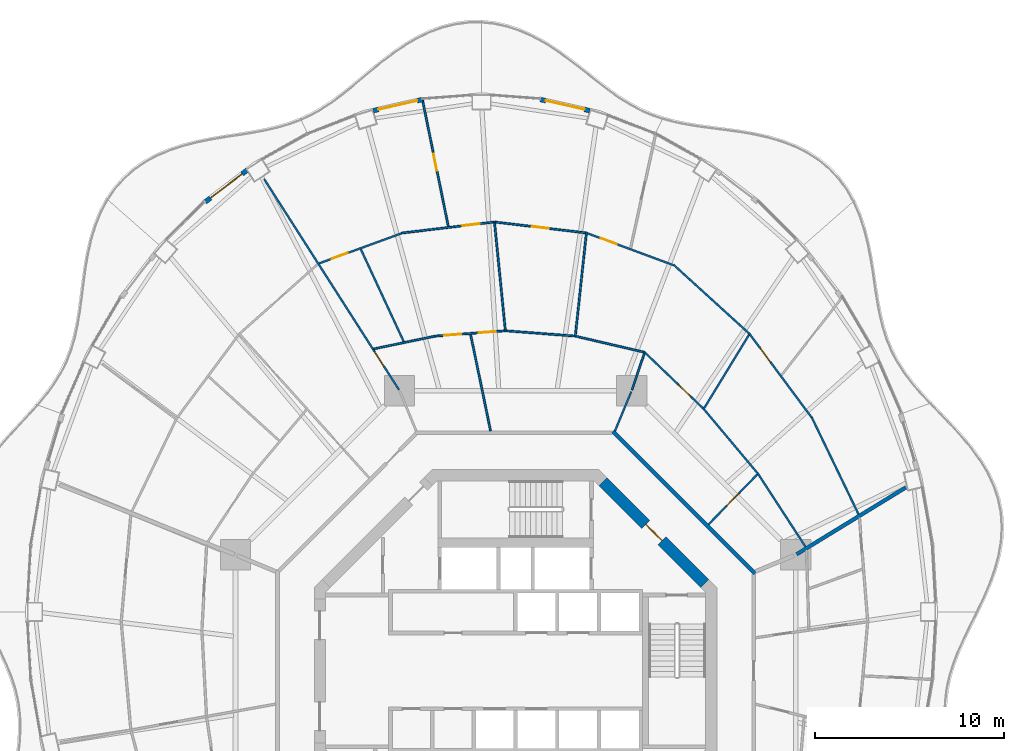
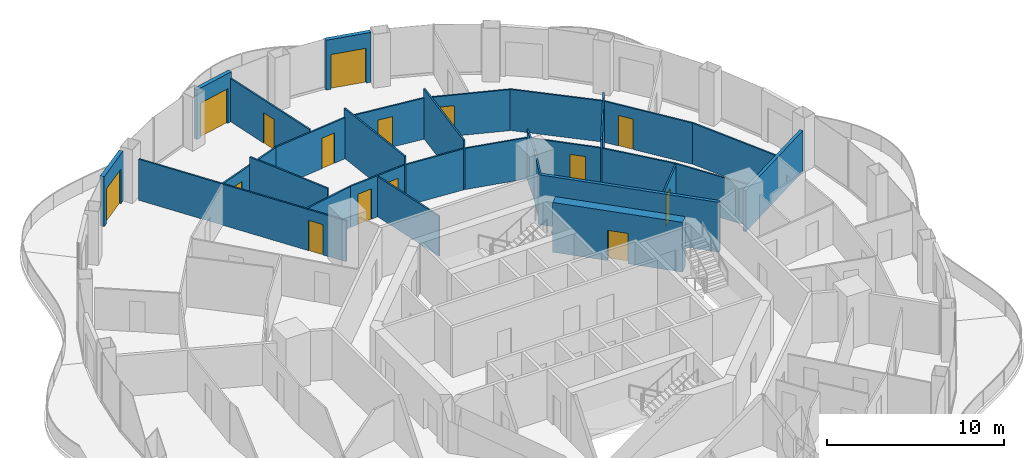
# One storey, part 14 of 18: 30 walls, 15 doors, 15 openings.
"""IFC4 building model written with IfcOpenShell, lengths in metres."""

from ifc_helpers import new_model, si_unit, direction, frame, frame_2d, origin, place, context, subcontext, project, spatial, rectangle, extrude, material, layer, layer_set, type_object, element, fill, save


model = new_model("IFC4")

# Units and contexts
model_context = context("Model", 3, precision=1e-05, world=origin(), true_north=direction((0.0, 1.0)))
body_context = subcontext(model_context, "Body", "Model", "MODEL_VIEW")
ifc_project = project(units=[si_unit("LENGTHUNIT", "METRE"), si_unit("AREAUNIT", "SQUARE_METRE"), si_unit("VOLUMEUNIT", "CUBIC_METRE"), si_unit("PLANEANGLEUNIT", "RADIAN"), si_unit("MASSUNIT", "GRAM", prefix="KILO")], contexts=[model_context])

# Site, building, storey
site_placement = place(None, origin())
site = spatial("IfcSite", under=ifc_project, at=site_placement, CompositionType="ELEMENT")
building_placement = place(site_placement, origin())
building = spatial("IfcBuilding", under=site, at=building_placement, Name="Nagisa Residences", CompositionType="ELEMENT")
storey_placement = place(building_placement, frame((0.0, 0.0, 234.39990234375)))
storey = spatial("IfcBuildingStorey", under=building, at=storey_placement, Name="L59", CompositionType="ELEMENT", Elevation=234.39990234375)

# Walls
ifc_material_1 = material(Name="Gypsum board on steel studs", Category="steel")
ifc_layer_1 = layer(ifc_material_1, 0.199951171875)
ifc_layer_set_1 = layer_set([ifc_layer_1], Name="Apartment compartment wall EI60 200")
wall_type_1 = type_object("IfcWallType", Name="Apartment compartment wall EI60 200", PredefinedType="PARTITIONING", material=ifc_layer_set_1)
wall_1_placement = place(storey_placement, frame((14.82470703125, 6.149169921875, 0.0), z_axis=(0.0, 0.0, 1.0), x_axis=(0.852781365284, 0.522268075824, 0.0)))
element("IfcWall", 1, at=wall_1_placement, inside=storey, type_object=wall_type_1, Name="wall:L59:u01", PredefinedType="PARTITIONING", context=body_context, shape_type="SweptSolid", body=[
    extrude(rectangle(XDim=6.758056640625, YDim=0.199951171875, at=frame_2d((3.37890625, 0.0))), origin(), (0.0, 0.0, 1.0), 2.837158203125),
])
ifc_material_2 = material(Name="Gypsum board on steel studs", Category="steel")
ifc_layer_2 = layer(ifc_material_2, 0.199951171875)
ifc_layer_set_2 = layer_set([ifc_layer_2], Name="Apartment entry wall EI60 200")
wall_type_2 = type_object("IfcWallType", Name="Apartment entry wall EI60 200", PredefinedType="PARTITIONING", material=ifc_layer_set_2)
wall_2_placement = place(storey_placement, frame((12.635498046875, 5.1337890625, 0.0), z_axis=(0.0, 0.0, 1.0), x_axis=(-0.707106781187, 0.707106781187, 0.0)))
element("IfcWall", 2, at=wall_2_placement, inside=storey, type_object=wall_type_2, Name="wall:L59:u11", PredefinedType="PARTITIONING", context=body_context, shape_type="SweptSolid", body=[
    extrude(rectangle(XDim=10.609130859375, YDim=0.199951171875, at=frame_2d((5.3046875, 0.0))), origin(), (0.0, 0.0, 1.0), 3.440185546875),
])
ifc_material_3 = material(Name="Gypsum board on steel studs", Category="steel")
ifc_layer_3 = layer(ifc_material_3, 0.10009765625)
ifc_layer_set_3 = layer_set([ifc_layer_3], Name="Apartment partition 100")
wall_type_3 = type_object("IfcWallType", Name="Apartment partition 100", PredefinedType="PARTITIONING", material=ifc_layer_set_3)
wall_3_placement = place(storey_placement, frame((15.295166015625, 6.554443359375, 0.0), z_axis=(0.0, 0.0, 1.0), x_axis=(-0.545186120363, 0.838315032767, 0.0)))
element("IfcWall", 3, at=wall_3_placement, inside=storey, type_object=wall_type_3, Name="wall:L59:u23", PredefinedType="PARTITIONING", context=body_context, shape_type="SweptSolid", body=[
    extrude(rectangle(XDim=4.642578125, YDim=0.10009765625, at=frame_2d((2.3212890625, 0.0))), origin(), (0.0, 0.0, 1.0), 2.837158203125),
])
wall_4_placement = place(storey_placement, frame((18.094970703125, 8.2685546875, 0.0), z_axis=(0.0, 0.0, 1.0), x_axis=(-0.434640773561, 0.900603907363, 0.0)))
element("IfcWall", 4, at=wall_4_placement, inside=storey, type_object=wall_type_3, Name="wall:L59:u24", PredefinedType="PARTITIONING", context=body_context, shape_type="SweptSolid", body=[
    extrude(rectangle(XDim=5.67431640625, YDim=0.10009765625, at=frame_2d((2.837158203125, 0.0))), origin(), (0.0, 0.0, 1.0), 2.837158203125),
])

# Wall, opening, door
wall_5_placement = place(storey_placement, frame((10.18115234375, 7.7294921875, 0.0), z_axis=(0.0, 0.0, 1.0), x_axis=(0.69841402561, 0.71569396311, 0.0)))
wall_5 = element("IfcWall", 5, at=wall_5_placement, inside=storey, type_object=wall_type_3, Name="wall:L59:u25", PredefinedType="PARTITIONING", context=body_context, shape_type="SweptSolid", body=[
    extrude(rectangle(XDim=3.6875, YDim=0.10009765625, at=frame_2d((1.84375, 0.0))), origin(), (0.0, 0.0, 1.0), 2.76220703125),
])
opening_1_placement = place(wall_5_placement, frame((1.393798828125, 0.0, 0.0)))
opening_1 = element("IfcOpeningElement", 6, at=opening_1_placement, cuts=wall_5, Name="Opening L59-U55", PredefinedType="OPENING", context=body_context, shape_type="SweptSolid", body=[
    extrude(rectangle(XDim=0.89990234375, YDim=2.10009765625, at=frame_2d((0.449951171875, 1.050048828125))), frame((0.0, 0.06005859375, 0.0), z_axis=(0.0, -1.0, 0.0), x_axis=(1.0, 0.0, 0.0)), (0.0, 0.0, 1.0), 0.1201171875),
])
ifc_material_4 = material(Name="Timber door set", Category="wood")
door_type_1 = type_object("IfcDoorType", Name="Apartment door 900x2100", OperationType="NOTDEFINED", PredefinedType="DOOR", material=ifc_material_4)
door_1_placement = place(opening_1_placement, frame((0.89990234375, 0.0, 0.0), x_axis=(-1.0, 0.0, 0.0)))
door_1 = element("IfcDoor", 7, at=door_1_placement, inside=storey, type_object=door_type_1, Name="Door to store, Apartment 59E", OperationType="SINGLE_SWING_RIGHT", OverallHeight=2.10009765625, OverallWidth=0.89990234375, PredefinedType="DOOR", context=body_context, shape_type="SweptSolid", body=[
    extrude(rectangle(XDim=0.89990234375, YDim=2.10009765625, at=frame_2d((0.449951171875, 1.050048828125))), frame((0.0, 0.02490234375, 0.0), z_axis=(0.0, -1.0, 0.0), x_axis=(1.0, 0.0, 0.0)), (0.0, 0.0, 1.0), 0.050048828125),
])
fill(opening_1, door_1)

# Wall
wall_6_placement = place(storey_placement, frame((12.75927734375, 10.442626953125, 0.0), z_axis=(0.0, 0.0, 1.0), x_axis=(-0.642225196965, 0.766516011825, 0.0)))
element("IfcWall", 8, at=wall_6_placement, inside=storey, type_object=wall_type_3, Name="wall:L59:u26", PredefinedType="PARTITIONING", context=body_context, shape_type="SweptSolid", body=[
    extrude(rectangle(XDim=4.360595703125, YDim=0.10009765625, at=frame_2d((2.18017578125, 0.0))), origin(), (0.0, 0.0, 1.0), 2.837158203125),
])

# Wall, opening, door
wall_7_placement = place(storey_placement, frame((15.62060546875, 13.3740234375, 0.0), z_axis=(0.0, 0.0, 1.0), x_axis=(-0.596165830899, 0.802861321816, 0.0)))
wall_7 = element("IfcWall", 9, at=wall_7_placement, inside=storey, type_object=wall_type_3, Name="wall:L59:u27", PredefinedType="PARTITIONING", context=body_context, shape_type="SweptSolid", body=[
    extrude(rectangle(XDim=5.5419921875, YDim=0.10009765625, at=frame_2d((2.77099609375, 0.0))), origin(), (0.0, 0.0, 1.0), 2.837158203125),
])
opening_2_placement = place(wall_7_placement, frame((3.656494140625, 0.0, 0.0)))
opening_2 = element("IfcOpeningElement", 10, at=opening_2_placement, cuts=wall_7, Name="Opening L59-U53", PredefinedType="OPENING", context=body_context, shape_type="SweptSolid", body=[
    extrude(rectangle(XDim=0.89990234375, YDim=2.10009765625, at=frame_2d((0.449951171875, 1.050048828125))), frame((0.0, 0.06005859375, 0.0), z_axis=(0.0, -1.0, 0.0), x_axis=(1.0, 0.0, 0.0)), (0.0, 0.0, 1.0), 0.1201171875),
])
door_2_placement = place(opening_2_placement, origin())
door_2 = element("IfcDoor", 11, at=door_2_placement, inside=storey, type_object=door_type_1, Name="Door to family room, Apartment 59E", OperationType="SINGLE_SWING_LEFT", OverallHeight=2.10009765625, OverallWidth=0.89990234375, PredefinedType="DOOR", context=body_context, shape_type="SweptSolid", body=[
    extrude(rectangle(XDim=0.89990234375, YDim=2.10009765625, at=frame_2d((0.449951171875, 1.050048828125))), frame((0.0, 0.02490234375, 0.0), z_axis=(0.0, -1.0, 0.0), x_axis=(1.0, 0.0, 0.0)), (0.0, 0.0, 1.0), 0.050048828125),
])
fill(opening_2, door_2)

# Wall
wall_8_placement = place(storey_placement, frame((9.900390625, 13.78076171875, 0.0), z_axis=(0.0, 0.0, 1.0), x_axis=(0.521464905534, 0.853272730313, 0.0)))
element("IfcWall", 12, at=wall_8_placement, inside=storey, type_object=wall_type_3, Name="wall:L59:u29", PredefinedType="PARTITIONING", context=body_context, shape_type="SweptSolid", body=[
    extrude(rectangle(XDim=4.640625, YDim=0.10009765625, at=frame_2d((2.3203125, 0.0))), origin(), (0.0, 0.0, 1.0), 3.440185546875),
])

# Wall, opening, door
wall_9_placement = place(storey_placement, frame((9.890380859375, 13.858154296875, 0.0), z_axis=(0.0, 0.0, 1.0), x_axis=(-0.72167233993, 0.692234811159, 0.0)))
wall_9 = element("IfcWall", 13, at=wall_9_placement, inside=storey, type_object=wall_type_3, Name="wall:L59:u30", PredefinedType="PARTITIONING", context=body_context, shape_type="SweptSolid", body=[
    extrude(rectangle(XDim=4.312744140625, YDim=0.10009765625, at=frame_2d((2.15625, 0.0))), origin(), (0.0, 0.0, 1.0), 2.837158203125),
])
opening_3_placement = place(wall_9_placement, frame((0.882568359375, 0.0, 0.0)))
opening_3 = element("IfcOpeningElement", 14, at=opening_3_placement, cuts=wall_9, Name="Opening L59-U52", PredefinedType="OPENING", context=body_context, shape_type="SweptSolid", body=[
    extrude(rectangle(XDim=0.89990234375, YDim=2.10009765625, at=frame_2d((0.449951171875, 1.050048828125))), frame((0.0, 0.06005859375, 0.0), z_axis=(0.0, -1.0, 0.0), x_axis=(1.0, 0.0, 0.0)), (0.0, 0.0, 1.0), 0.1201171875),
])
door_3_placement = place(opening_3_placement, origin())
door_3 = element("IfcDoor", 15, at=door_3_placement, inside=storey, type_object=door_type_1, Name="Door to laundry, Apartment 59E", OperationType="SINGLE_SWING_RIGHT", OverallHeight=2.10009765625, OverallWidth=0.89990234375, PredefinedType="DOOR", context=body_context, shape_type="SweptSolid", body=[
    extrude(rectangle(XDim=0.89990234375, YDim=2.10009765625, at=frame_2d((0.449951171875, 1.050048828125))), frame((0.0, 0.02490234375, 0.0), z_axis=(0.0, -1.0, 0.0), x_axis=(1.0, 0.0, 0.0)), (0.0, 0.0, 1.0), 0.050048828125),
])
fill(opening_3, door_3)

# Walls
wall_10_placement = place(storey_placement, frame((12.3095703125, 17.81689453125, 0.0), z_axis=(0.0, 0.0, 1.0), x_axis=(-0.739697052892, 0.672940019573, 0.0)))
element("IfcWall", 16, at=wall_10_placement, inside=storey, type_object=wall_type_3, Name="wall:L59:u31", PredefinedType="PARTITIONING", context=body_context, shape_type="SweptSolid", body=[
    extrude(rectangle(XDim=5.364990234375, YDim=0.10009765625, at=frame_2d((2.6826171875, 0.0))), origin(), (0.0, 0.0, 1.0), 2.837158203125),
])
wall_11_placement = place(storey_placement, frame((5.24267578125, 12.6572265625, 0.0), z_axis=(0.0, 0.0, 1.0), x_axis=(0.382719158442, 0.923864733477, 0.0)))
element("IfcWall", 17, at=wall_11_placement, inside=storey, type_object=wall_type_3, Name="wall:L59:u32", PredefinedType="PARTITIONING", context=body_context, shape_type="SweptSolid", body=[
    extrude(rectangle(XDim=2.25, YDim=0.10009765625, at=frame_2d((1.125, 0.0))), origin(), (0.0, 0.0, 1.0), 3.440185546875),
])
wall_12_placement = place(storey_placement, frame((6.13916015625, 14.829345703125, 0.0), z_axis=(0.0, 0.0, 1.0), x_axis=(0.32278593828, 0.946471995385, 0.0)))
element("IfcWall", 18, at=wall_12_placement, inside=storey, type_object=wall_type_3, Name="wall:L59:u33", PredefinedType="PARTITIONING", context=body_context, shape_type="SweptSolid", body=[
    extrude(rectangle(XDim=2.04150390625, YDim=0.10009765625, at=frame_2d((1.020751953125, 0.0))), origin(), (0.0, 0.0, 1.0), 3.440185546875),
])
wall_13_placement = place(storey_placement, frame((6.765625, 16.8203125, 0.0), z_axis=(0.0, 0.0, 1.0), x_axis=(-0.973612608559, 0.22820711745, 0.0)))
element("IfcWall", 19, at=wall_13_placement, inside=storey, type_object=wall_type_3, Name="wall:L59:u34", PredefinedType="PARTITIONING", context=body_context, shape_type="SweptSolid", body=[
    extrude(rectangle(XDim=3.6630859375, YDim=0.10009765625, at=frame_2d((1.83154296875, 0.0))), origin(), (0.0, 0.0, 1.0), 2.837158203125),
])

# Wall, opening, door
wall_14_placement = place(storey_placement, frame((8.3310546875, 21.410888671875, 0.0), z_axis=(0.0, 0.0, 1.0), x_axis=(-0.937891982431, 0.346927412136, 0.0)))
wall_14 = element("IfcWall", 20, at=wall_14_placement, inside=storey, type_object=wall_type_3, Name="wall:L59:u35", PredefinedType="PARTITIONING", context=body_context, shape_type="SweptSolid", body=[
    extrude(rectangle(XDim=4.85009765625, YDim=0.10009765625, at=frame_2d((2.425048828125, 0.0))), origin(), (0.0, 0.0, 1.0), 2.837158203125),
])
opening_4_placement = place(wall_14_placement, frame((3.1875, 0.0, 0.0)))
opening_4 = element("IfcOpeningElement", 21, at=opening_4_placement, cuts=wall_14, Name="Opening L59-U48", PredefinedType="OPENING", context=body_context, shape_type="SweptSolid", body=[
    extrude(rectangle(XDim=0.89990234375, YDim=2.10009765625, at=frame_2d((0.449951171875, 1.050048828125))), frame((0.0, 0.06005859375, 0.0), z_axis=(0.0, -1.0, 0.0), x_axis=(1.0, 0.0, 0.0)), (0.0, 0.0, 1.0), 0.1201171875),
])
door_4_placement = place(opening_4_placement, origin())
door_4 = element("IfcDoor", 22, at=door_4_placement, inside=storey, type_object=door_type_1, Name="Door to kitchen, Apartment 59E", OperationType="SINGLE_SWING_RIGHT", OverallHeight=2.10009765625, OverallWidth=0.89990234375, PredefinedType="DOOR", context=body_context, shape_type="SweptSolid", body=[
    extrude(rectangle(XDim=0.89990234375, YDim=2.10009765625, at=frame_2d((0.449951171875, 1.050048828125))), frame((0.0, 0.02490234375, 0.0), z_axis=(0.0, -1.0, 0.0), x_axis=(1.0, 0.0, 0.0)), (0.0, 0.0, 1.0), 0.050048828125),
])
fill(opening_4, door_4)

# Walls
wall_15_placement = place(storey_placement, frame((3.145263671875, 17.617919921875, 0.0), z_axis=(0.0, 0.0, 1.0), x_axis=(0.106820754108, 0.994278294288, 0.0)))
element("IfcWall", 23, at=wall_15_placement, inside=storey, type_object=wall_type_3, Name="wall:L59:u37", PredefinedType="PARTITIONING", context=body_context, shape_type="SweptSolid", body=[
    extrude(rectangle(XDim=5.574462890625, YDim=0.10009765625, at=frame_2d((2.787109375, 0.0))), origin(), (0.0, 0.0, 1.0), 3.440185546875),
])
wall_16_placement = place(storey_placement, frame((3.1005859375, 17.67138671875, 0.0), z_axis=(0.0, 0.0, 1.0), x_axis=(-0.997133705575, 0.075659587668, 0.0)))
element("IfcWall", 24, at=wall_16_placement, inside=storey, type_object=wall_type_3, Name="wall:L59:u38", PredefinedType="PARTITIONING", context=body_context, shape_type="SweptSolid", body=[
    extrude(rectangle(XDim=3.60107421875, YDim=0.10009765625, at=frame_2d((1.800537109375, 0.0))), origin(), (0.0, 0.0, 1.0), 2.837158203125),
])

# Wall, opening, door
wall_17_placement = place(storey_placement, frame((3.685791015625, 23.11669921875, 0.0), z_axis=(0.0, 0.0, 1.0), x_axis=(-0.992965872314, 0.11840091393, 0.0)))
wall_17 = element("IfcWall", 25, at=wall_17_placement, inside=storey, type_object=wall_type_3, Name="wall:L59:u39", PredefinedType="PARTITIONING", context=body_context, shape_type="SweptSolid", body=[
    extrude(rectangle(XDim=4.785888671875, YDim=0.10009765625, at=frame_2d((2.39306640625, 0.0))), origin(), (0.0, 0.0, 1.0), 2.837158203125),
])
opening_5_placement = place(wall_17_placement, frame((1.94287109375, 0.0, 0.0)))
opening_5 = element("IfcOpeningElement", 26, at=opening_5_placement, cuts=wall_17, Name="Opening L59-U49", PredefinedType="OPENING", context=body_context, shape_type="SweptSolid", body=[
    extrude(rectangle(XDim=0.89990234375, YDim=2.10009765625, at=frame_2d((0.449951171875, 1.050048828125))), frame((0.0, 0.06005859375, 0.0), z_axis=(0.0, -1.0, 0.0), x_axis=(1.0, 0.0, 0.0)), (0.0, 0.0, 1.0), 0.1201171875),
])
door_5_placement = place(opening_5_placement, origin())
door_5 = element("IfcDoor", 27, at=door_5_placement, inside=storey, type_object=door_type_1, Name="Door to family room, Apartment 59E", OperationType="SINGLE_SWING_LEFT", OverallHeight=2.10009765625, OverallWidth=0.89990234375, PredefinedType="DOOR", context=body_context, shape_type="SweptSolid", body=[
    extrude(rectangle(XDim=0.89990234375, YDim=2.10009765625, at=frame_2d((0.449951171875, 1.050048828125))), frame((0.0, 0.02490234375, 0.0), z_axis=(0.0, -1.0, 0.0), x_axis=(1.0, 0.0, 0.0)), (0.0, 0.0, 1.0), 0.050048828125),
])
fill(opening_5, door_5)

# Wall
wall_18_placement = place(storey_placement, frame((-0.534912109375, 17.89794921875, 0.0), z_axis=(0.0, 0.0, 1.0), x_axis=(-0.099853714131, 0.995002128527, 0.0)))
element("IfcWall", 28, at=wall_18_placement, inside=storey, type_object=wall_type_3, Name="wall:L59:u40", PredefinedType="PARTITIONING", context=body_context, shape_type="SweptSolid", body=[
    extrude(rectangle(XDim=5.870361328125, YDim=0.10009765625, at=frame_2d((2.93505859375, 0.0))), origin(), (0.0, 0.0, 1.0), 3.440185546875),
])

# Wall, openings, doors
wall_19_placement = place(storey_placement, frame((-0.58984375, 17.94384765625, 0.0), z_axis=(0.0, 0.0, 1.0), x_axis=(-0.997133495787, -0.075662352452, 0.0)))
wall_19 = element("IfcWall", 29, at=wall_19_placement, inside=storey, type_object=wall_type_3, Name="wall:L59:u41", PredefinedType="PARTITIONING", context=body_context, shape_type="SweptSolid", body=[
    extrude(rectangle(XDim=3.700927734375, YDim=0.10009765625, at=frame_2d((1.8505859375, 0.0))), origin(), (0.0, 0.0, 1.0), 2.837158203125),
])
opening_6_placement = place(wall_19_placement, frame((2.27587890625, 0.0, 0.0)))
opening_6 = element("IfcOpeningElement", 30, at=opening_6_placement, cuts=wall_19, Name="Opening L59-U40", PredefinedType="OPENING", context=body_context, shape_type="SweptSolid", body=[
    extrude(rectangle(XDim=0.89990234375, YDim=2.10009765625, at=frame_2d((0.449951171875, 1.050048828125))), frame((0.0, 0.06005859375, 0.0), z_axis=(0.0, -1.0, 0.0), x_axis=(1.0, 0.0, 0.0)), (0.0, 0.0, 1.0), 0.1201171875),
])
opening_7_placement = place(wall_19_placement, frame((0.4501953125, 0.0, 0.0)))
opening_7 = element("IfcOpeningElement", 31, at=opening_7_placement, cuts=wall_19, Name="Opening L59-U47", PredefinedType="OPENING", context=body_context, shape_type="SweptSolid", body=[
    extrude(rectangle(XDim=0.89990234375, YDim=2.10009765625, at=frame_2d((0.449951171875, 1.050048828125))), frame((0.0, 0.06005859375, 0.0), z_axis=(0.0, -1.0, 0.0), x_axis=(1.0, 0.0, 0.0)), (0.0, 0.0, 1.0), 0.1201171875),
])
door_6_placement = place(opening_6_placement, frame((0.89990234375, 0.0, 0.0), x_axis=(-1.0, 0.0, 0.0)))
door_6 = element("IfcDoor", 32, at=door_6_placement, inside=storey, type_object=door_type_1, Name="Door to kitchen, Apartment 59E", OperationType="SINGLE_SWING_LEFT", OverallHeight=2.10009765625, OverallWidth=0.89990234375, PredefinedType="DOOR", context=body_context, shape_type="SweptSolid", body=[
    extrude(rectangle(XDim=0.89990234375, YDim=2.10009765625, at=frame_2d((0.449951171875, 1.050048828125))), frame((0.0, 0.02490234375, 0.0), z_axis=(0.0, -1.0, 0.0), x_axis=(1.0, 0.0, 0.0)), (0.0, 0.0, 1.0), 0.050048828125),
])
fill(opening_6, door_6)
door_7_placement = place(opening_7_placement, origin())
door_7 = element("IfcDoor", 33, at=door_7_placement, inside=storey, type_object=door_type_1, Name="Door to store, Apartment 59E", OperationType="SINGLE_SWING_LEFT", OverallHeight=2.10009765625, OverallWidth=0.89990234375, PredefinedType="DOOR", context=body_context, shape_type="SweptSolid", body=[
    extrude(rectangle(XDim=0.89990234375, YDim=2.10009765625, at=frame_2d((0.449951171875, 1.050048828125))), frame((0.0, 0.02490234375, 0.0), z_axis=(0.0, -1.0, 0.0), x_axis=(1.0, 0.0, 0.0)), (0.0, 0.0, 1.0), 0.050048828125),
])
fill(opening_7, door_7)

# Wall, opening, door
wall_20_placement = place(storey_placement, frame((-1.165771484375, 23.683349609375, 0.0), z_axis=(0.0, 0.0, 1.0), x_axis=(-0.992961712415, -0.118435795593, 0.0)))
wall_20 = element("IfcWall", 34, at=wall_20_placement, inside=storey, type_object=wall_type_3, Name="wall:L59:u42", PredefinedType="PARTITIONING", context=body_context, shape_type="SweptSolid", body=[
    extrude(rectangle(XDim=4.885498046875, YDim=0.10009765625, at=frame_2d((2.44287109375, 0.0))), origin(), (0.0, 0.0, 1.0), 2.837158203125),
])
opening_8_placement = place(wall_20_placement, frame((0.746337890625, 0.0, 0.0)))
opening_8 = element("IfcOpeningElement", 35, at=opening_8_placement, cuts=wall_20, Name="Opening L59-U43", PredefinedType="OPENING", context=body_context, shape_type="SweptSolid", body=[
    extrude(rectangle(XDim=0.89990234375, YDim=2.10009765625, at=frame_2d((0.449951171875, 1.050048828125))), frame((0.0, 0.06005859375, 0.0), z_axis=(0.0, -1.0, 0.0), x_axis=(1.0, 0.0, 0.0)), (0.0, 0.0, 1.0), 0.1201171875),
])
door_8_placement = place(opening_8_placement, frame((0.89990234375, 0.0, 0.0), x_axis=(-1.0, 0.0, 0.0)))
door_8 = element("IfcDoor", 36, at=door_8_placement, inside=storey, type_object=door_type_1, Name="Door to family room, Apartment 59E", OperationType="SINGLE_SWING_RIGHT", OverallHeight=2.10009765625, OverallWidth=0.89990234375, PredefinedType="DOOR", context=body_context, shape_type="SweptSolid", body=[
    extrude(rectangle(XDim=0.89990234375, YDim=2.10009765625, at=frame_2d((0.449951171875, 1.050048828125))), frame((0.0, 0.02490234375, 0.0), z_axis=(0.0, -1.0, 0.0), x_axis=(1.0, 0.0, 0.0)), (0.0, 0.0, 1.0), 0.050048828125),
])
fill(opening_8, door_8)

# Wall
wall_21_placement = place(storey_placement, frame((-1.3212890625, 12.66259765625, 0.0), z_axis=(0.0, 0.0, 1.0), x_axis=(-0.202526486639, 0.979276785291, 0.0)))
element("IfcWall", 37, at=wall_21_placement, inside=storey, type_object=wall_type_3, Name="wall:L59:u43", PredefinedType="PARTITIONING", context=body_context, shape_type="SweptSolid", body=[
    extrude(rectangle(XDim=5.2041015625, YDim=0.10009765625, at=frame_2d((2.60205078125, 0.0))), origin(), (0.0, 0.0, 1.0), 2.76220703125),
])

# Wall, opening, door
wall_22_placement = place(storey_placement, frame((-3.5517578125, 23.448974609375, 0.0), z_axis=(0.0, 0.0, 1.0), x_axis=(-0.199593197846, 0.979878847294, 0.0)))
wall_22 = element("IfcWall", 38, at=wall_22_placement, inside=storey, type_object=wall_type_3, Name="wall:L59:u44", PredefinedType="PARTITIONING", context=body_context, shape_type="SweptSolid", body=[
    extrude(rectangle(XDim=6.924560546875, YDim=0.10009765625, at=frame_2d((3.46240234375, 0.0))), origin(), (0.0, 0.0, 1.0), 2.983154296875),
])
opening_9_placement = place(wall_22_placement, frame((3.01220703125, 0.0, 0.0)))
opening_9 = element("IfcOpeningElement", 39, at=opening_9_placement, cuts=wall_22, Name="Opening L59-U44", PredefinedType="OPENING", context=body_context, shape_type="SweptSolid", body=[
    extrude(rectangle(XDim=0.89990234375, YDim=2.10009765625, at=frame_2d((0.449951171875, 1.050048828125))), frame((0.0, 0.06005859375, 0.0), z_axis=(0.0, -1.0, 0.0), x_axis=(1.0, 0.0, 0.0)), (0.0, 0.0, 1.0), 0.1201171875),
])
door_9_placement = place(opening_9_placement, origin())
door_9 = element("IfcDoor", 40, at=door_9_placement, inside=storey, type_object=door_type_1, Name="Door to master bedroom, Apartment 59E", OperationType="SINGLE_SWING_RIGHT", OverallHeight=2.10009765625, OverallWidth=0.89990234375, PredefinedType="DOOR", context=body_context, shape_type="SweptSolid", body=[
    extrude(rectangle(XDim=0.89990234375, YDim=2.10009765625, at=frame_2d((0.449951171875, 1.050048828125))), frame((0.0, 0.02490234375, 0.0), z_axis=(0.0, -1.0, 0.0), x_axis=(1.0, 0.0, 0.0)), (0.0, 0.0, 1.0), 0.050048828125),
])
fill(opening_9, door_9)

# Wall
wall_23_placement = place(storey_placement, frame((-4.279541015625, 17.657470703125, 0.0), z_axis=(0.0, 0.0, 1.0), x_axis=(-0.979205232861, -0.202872156637, 0.0)))
element("IfcWall", 41, at=wall_23_placement, inside=storey, type_object=wall_type_3, Name="wall:L59:u45", PredefinedType="PARTITIONING", context=body_context, shape_type="SweptSolid", body=[
    extrude(rectangle(XDim=3.27099609375, YDim=0.10009765625, at=frame_2d((1.635498046875, 0.0))), origin(), (0.0, 0.0, 1.0), 2.837158203125),
])

# Wall, opening, door
wall_24_placement = place(storey_placement, frame((-6.01416015625, 23.093505859375, 0.0), z_axis=(0.0, 0.0, 1.0), x_axis=(-0.939417400947, -0.342775359089, 0.0)))
wall_24 = element("IfcWall", 42, at=wall_24_placement, inside=storey, type_object=wall_type_3, Name="wall:L59:u46", PredefinedType="PARTITIONING", context=body_context, shape_type="SweptSolid", body=[
    extrude(rectangle(XDim=4.632568359375, YDim=0.10009765625, at=frame_2d((2.31640625, 0.0))), origin(), (0.0, 0.0, 1.0), 2.837158203125),
])
opening_10_placement = place(wall_24_placement, frame((3.0244140625, 0.0, 0.0)))
opening_10 = element("IfcOpeningElement", 43, at=opening_10_placement, cuts=wall_24, Name="Opening L59-U50", PredefinedType="OPENING", context=body_context, shape_type="SweptSolid", body=[
    extrude(rectangle(XDim=0.89990234375, YDim=2.10009765625, at=frame_2d((0.449951171875, 1.050048828125))), frame((0.0, 0.06005859375, 0.0), z_axis=(0.0, -1.0, 0.0), x_axis=(1.0, 0.0, 0.0)), (0.0, 0.0, 1.0), 0.1201171875),
])
door_10_placement = place(opening_10_placement, origin())
door_10 = element("IfcDoor", 44, at=door_10_placement, inside=storey, type_object=door_type_1, Name="Door to en-suite bathroom, Apartment 59E", OperationType="SINGLE_SWING_RIGHT", OverallHeight=2.10009765625, OverallWidth=0.89990234375, PredefinedType="DOOR", context=body_context, shape_type="SweptSolid", body=[
    extrude(rectangle(XDim=0.89990234375, YDim=2.10009765625, at=frame_2d((0.449951171875, 1.050048828125))), frame((0.0, 0.02490234375, 0.0), z_axis=(0.0, -1.0, 0.0), x_axis=(1.0, 0.0, 0.0)), (0.0, 0.0, 1.0), 0.050048828125),
])
fill(opening_10, door_10)

# Wall
wall_25_placement = place(storey_placement, frame((-5.90185546875, 17.37109375, 0.0), z_axis=(0.0, 0.0, 1.0), x_axis=(-0.421124629357, 0.907002781996, 0.0)))
element("IfcWall", 45, at=wall_25_placement, inside=storey, type_object=wall_type_3, Name="wall:L59:u47", PredefinedType="PARTITIONING", context=body_context, shape_type="SweptSolid", body=[
    extrude(rectangle(XDim=5.384033203125, YDim=0.10009765625, at=frame_2d((2.69189453125, 0.0))), origin(), (0.0, 0.0, 1.0), 3.440185546875),
])

# Wall, opening, door
wall_26_placement = place(storey_placement, frame((-6.14990234375, 14.82421875, 0.0), z_axis=(0.0, 0.0, 1.0), x_axis=(-0.538870687577, 0.842388498301, 0.0)))
wall_26 = element("IfcWall", 46, at=wall_26_placement, inside=storey, type_object=wall_type_3, Name="wall:L59:u49", PredefinedType="PARTITIONING", context=body_context, shape_type="SweptSolid", body=[
    extrude(rectangle(XDim=13.212646484375, YDim=0.10009765625, at=frame_2d((6.6064453125, 0.0))), origin(), (0.0, 0.0, 1.0), 2.837158203125),
])
opening_11_placement = place(wall_26_placement, frame((1.4833984375, 0.0, 0.0)))
opening_11 = element("IfcOpeningElement", 47, at=opening_11_placement, cuts=wall_26, Name="Opening L59-U38", PredefinedType="OPENING", context=body_context, shape_type="SweptSolid", body=[
    extrude(rectangle(XDim=0.89990234375, YDim=2.10009765625, at=frame_2d((0.449951171875, 1.050048828125))), frame((0.0, 0.06005859375, 0.0), z_axis=(0.0, -1.0, 0.0), x_axis=(1.0, 0.0, 0.0)), (0.0, 0.0, 1.0), 0.1201171875),
])
door_11_placement = place(opening_11_placement, frame((0.89990234375, 0.0, 0.0), x_axis=(-1.0, 0.0, 0.0)))
door_11 = element("IfcDoor", 48, at=door_11_placement, inside=storey, type_object=door_type_1, Name="Door to laundry, Apartment 59E", OperationType="SINGLE_SWING_LEFT", OverallHeight=2.10009765625, OverallWidth=0.89990234375, PredefinedType="DOOR", context=body_context, shape_type="SweptSolid", body=[
    extrude(rectangle(XDim=0.89990234375, YDim=2.10009765625, at=frame_2d((0.449951171875, 1.050048828125))), frame((0.0, 0.02490234375, 0.0), z_axis=(0.0, -1.0, 0.0), x_axis=(1.0, 0.0, 0.0)), (0.0, 0.0, 1.0), 0.050048828125),
])
fill(opening_11, door_11)

ifc_material_5 = material(Name="Precast concrete C40/50", Category="concrete")
ifc_layer_4 = layer(ifc_material_5, 0.25)
ifc_layer_set_4 = layer_set([ifc_layer_4], Name="BALCONY DOOR WALL 250")
wall_type_4 = type_object("IfcWallType", Name="BALCONY DOOR WALL 250", PredefinedType="SOLIDWALL", material=ifc_layer_set_4)
wall_27_placement = place(storey_placement, frame((1.314208984375, 30.1513671875, 0.0), z_axis=(0.0, 0.0, 1.0), x_axis=(0.975324089124, -0.220777990694, 0.0)))
wall_27 = element("IfcWall", 49, at=wall_27_placement, inside=storey, type_object=wall_type_4, Name="wall:L59:bay10", PredefinedType="SOLIDWALL", context=body_context, shape_type="SweptSolid", body=[
    extrude(rectangle(XDim=2.666015625, YDim=0.25, at=frame_2d((1.3330078125, 0.0))), origin(), (0.0, 0.0, 1.0), 3.440185546875),
])
opening_12_placement = place(wall_27_placement, frame((0.282958984375, 0.0, 0.0)))
opening_12 = element("IfcOpeningElement", 50, at=opening_12_placement, cuts=wall_27, Name="Opening BD-L59-04", PredefinedType="OPENING", context=body_context, shape_type="SweptSolid", body=[
    extrude(rectangle(XDim=2.10009765625, YDim=2.39990234375, at=frame_2d((1.050048828125, 1.199951171875))), frame((0.0, 0.135009765625, 0.0), z_axis=(0.0, -1.0, 0.0), x_axis=(1.0, 0.0, 0.0)), (0.0, 0.0, 1.0), 0.27001953125),
])
ifc_material_6 = material(Name="Aluminium and clear glass", Category="aluminium")
door_type_2 = type_object("IfcDoorType", Name="BALCONY SLIDING DOOR 2100x2400", OperationType="SLIDING_TO_LEFT", PredefinedType="DOOR", material=ifc_material_6)
door_12_placement = place(opening_12_placement, origin())
door_12 = element("IfcDoor", 51, at=door_12_placement, inside=storey, type_object=door_type_2, Name="door:L59:bay10", OperationType="SLIDING_TO_LEFT", OverallHeight=2.39990234375, OverallWidth=2.10009765625, PredefinedType="DOOR", context=body_context, shape_type="SweptSolid", body=[
    extrude(rectangle(XDim=2.10009765625, YDim=2.39990234375, at=frame_2d((1.050048828125, 1.199951171875))), frame((0.0, 0.02490234375, 0.0), z_axis=(0.0, -1.0, 0.0), x_axis=(1.0, 0.0, 0.0)), (0.0, 0.0, 1.0), 0.050048828125),
])
fill(opening_12, door_12)

wall_28_placement = place(storey_placement, frame((-7.514404296875, 29.562744140625, 0.0), z_axis=(0.0, 0.0, 1.0), x_axis=(0.975324089124, 0.220777990694, 0.0)))
wall_28 = element("IfcWall", 52, at=wall_28_placement, inside=storey, type_object=wall_type_4, Name="wall:L59:bay13", PredefinedType="SOLIDWALL", context=body_context, shape_type="SweptSolid", body=[
    extrude(rectangle(XDim=2.666015625, YDim=0.25, at=frame_2d((1.3330078125, 0.0))), origin(), (0.0, 0.0, 1.0), 3.440185546875),
])
opening_13_placement = place(wall_28_placement, frame((0.282958984375, 0.0, 0.0)))
opening_13 = element("IfcOpeningElement", 53, at=opening_13_placement, cuts=wall_28, Name="Opening BD-L59-05", PredefinedType="OPENING", context=body_context, shape_type="SweptSolid", body=[
    extrude(rectangle(XDim=2.10009765625, YDim=2.39990234375, at=frame_2d((1.050048828125, 1.199951171875))), frame((0.0, 0.135009765625, 0.0), z_axis=(0.0, -1.0, 0.0), x_axis=(1.0, 0.0, 0.0)), (0.0, 0.0, 1.0), 0.27001953125),
])
door_13_placement = place(opening_13_placement, origin())
door_13 = element("IfcDoor", 54, at=door_13_placement, inside=storey, type_object=door_type_2, Name="door:L59:bay13", OperationType="SLIDING_TO_LEFT", OverallHeight=2.39990234375, OverallWidth=2.10009765625, PredefinedType="DOOR", context=body_context, shape_type="SweptSolid", body=[
    extrude(rectangle(XDim=2.10009765625, YDim=2.39990234375, at=frame_2d((1.050048828125, 1.199951171875))), frame((0.0, 0.02490234375, 0.0), z_axis=(0.0, -1.0, 0.0), x_axis=(1.0, 0.0, 0.0)), (0.0, 0.0, 1.0), 0.050048828125),
])
fill(opening_13, door_13)

wall_29_placement = place(storey_placement, frame((-16.377197265625, 24.748046875, 0.0), z_axis=(0.0, 0.0, 1.0), x_axis=(0.795990084031, 0.60530966135, 0.0)))
wall_29 = element("IfcWall", 55, at=wall_29_placement, inside=storey, type_object=wall_type_4, Name="wall:L59:bay16", PredefinedType="SOLIDWALL", context=body_context, shape_type="SweptSolid", body=[
    extrude(rectangle(XDim=2.78857421875, YDim=0.25, at=frame_2d((1.394287109375, 0.0))), origin(), (0.0, 0.0, 1.0), 3.440185546875),
])
opening_14_placement = place(wall_29_placement, frame((0.34423828125, 0.0, 0.0)))
opening_14 = element("IfcOpeningElement", 56, at=opening_14_placement, cuts=wall_29, Name="Opening BD-L59-06", PredefinedType="OPENING", context=body_context, shape_type="SweptSolid", body=[
    extrude(rectangle(XDim=2.10009765625, YDim=2.39990234375, at=frame_2d((1.050048828125, 1.199951171875))), frame((0.0, 0.135009765625, 0.0), z_axis=(0.0, -1.0, 0.0), x_axis=(1.0, 0.0, 0.0)), (0.0, 0.0, 1.0), 0.27001953125),
])
door_14_placement = place(opening_14_placement, origin())
door_14 = element("IfcDoor", 57, at=door_14_placement, inside=storey, type_object=door_type_2, Name="door:L59:bay16", OperationType="SLIDING_TO_LEFT", OverallHeight=2.39990234375, OverallWidth=2.10009765625, PredefinedType="DOOR", context=body_context, shape_type="SweptSolid", body=[
    extrude(rectangle(XDim=2.10009765625, YDim=2.39990234375, at=frame_2d((1.050048828125, 1.199951171875))), frame((0.0, 0.02490234375, 0.0), z_axis=(0.0, -1.0, 0.0), x_axis=(1.0, 0.0, 0.0)), (0.0, 0.0, 1.0), 0.050048828125),
])
fill(opening_14, door_14)

ifc_material_7 = material(Name="Concrete C60", Category="concrete")
ifc_layer_5 = layer(ifc_material_7, 0.60009765625)
ifc_layer_set_5 = layer_set([ifc_layer_5], Name="Core shear wall 600")
wall_type_5 = type_object("IfcWallType", Name="Core shear wall 600", PredefinedType="SHEAR", material=ifc_layer_set_5)
wall_30_placement = place(storey_placement, frame((9.98828125, 4.613037109375, 0.0), z_axis=(0.0, 0.0, 1.0), x_axis=(-0.707106781187, 0.707106781187, 0.0)))
wall_30 = element("IfcWall", 58, at=wall_30_placement, inside=storey, type_object=wall_type_5, Name="wall:L59:core:flat1", PredefinedType="SHEAR", context=body_context, shape_type="SweptSolid", body=[
    extrude(rectangle(XDim=7.601806640625, YDim=0.60009765625, at=frame_2d((3.80078125, 0.0))), origin(), (0.0, 0.0, 1.0), 3.440185546875),
])
opening_15_placement = place(wall_30_placement, frame((3.200927734375, 0.0, 0.0)))
opening_15 = element("IfcOpeningElement", 59, at=opening_15_placement, cuts=wall_30, Name="Opening L59-C17", PredefinedType="OPENING", context=body_context, shape_type="SweptSolid", body=[
    extrude(rectangle(XDim=1.199951171875, YDim=2.10009765625, at=frame_2d((0.60009765625, 1.050048828125))), frame((0.0, 0.31005859375, 0.0), z_axis=(0.0, -1.0, 0.0), x_axis=(1.0, 0.0, 0.0)), (0.0, 0.0, 1.0), 0.6201171875),
])
ifc_material_8 = material(Name="Steel fire door", Category="steel")
door_type_3 = type_object("IfcDoorType", Name="Fire door EI60 1200x2100 single swing", OperationType="NOTDEFINED", PredefinedType="DOOR", material=ifc_material_8)
door_15_placement = place(opening_15_placement, origin())
door_15 = element("IfcDoor", 60, at=door_15_placement, inside=storey, type_object=door_type_3, Name="Firefighting lobby 1 door L59", OperationType="SINGLE_SWING_LEFT", OverallHeight=2.10009765625, OverallWidth=1.199951171875, PredefinedType="DOOR", context=body_context, shape_type="SweptSolid", body=[
    extrude(rectangle(XDim=1.199951171875, YDim=2.10009765625, at=frame_2d((0.60009765625, 1.050048828125))), frame((0.0, 0.02490234375, 0.0), z_axis=(0.0, -1.0, 0.0), x_axis=(1.0, 0.0, 0.0)), (0.0, 0.0, 1.0), 0.050048828125),
])
fill(opening_15, door_15)

save(model, "model.ifc")
